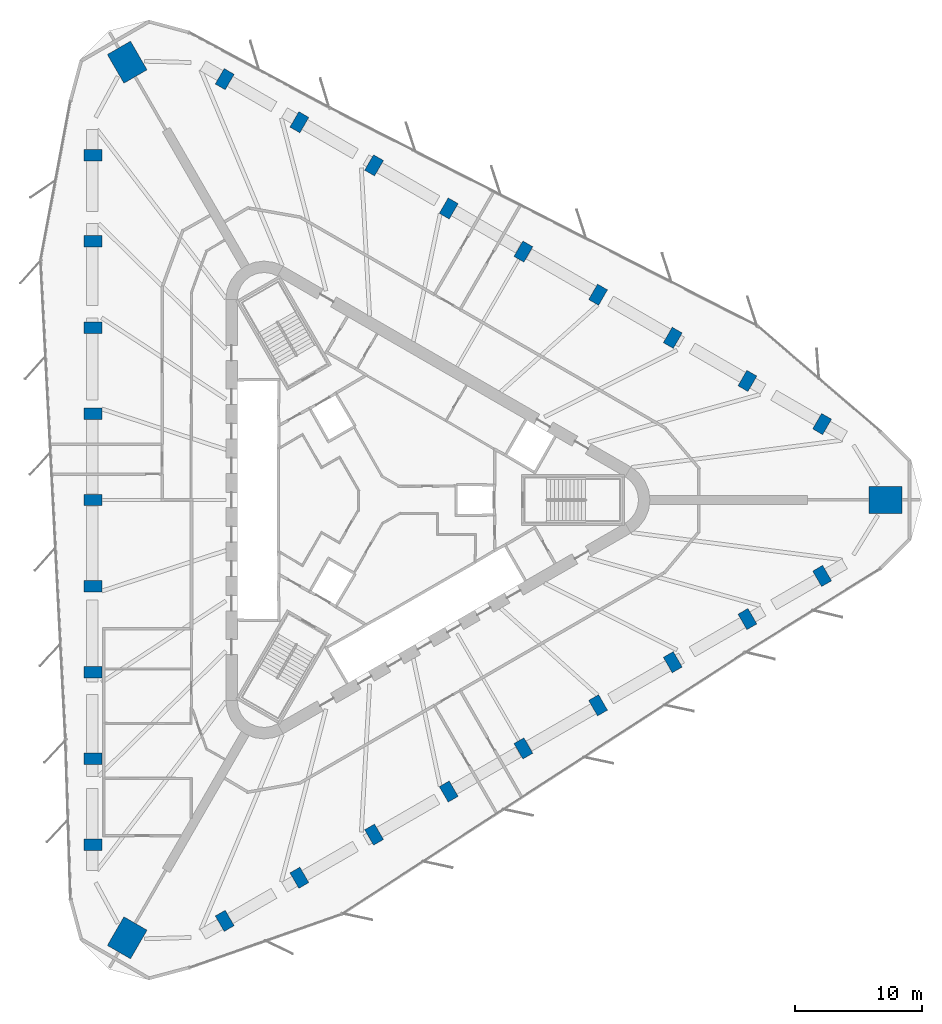
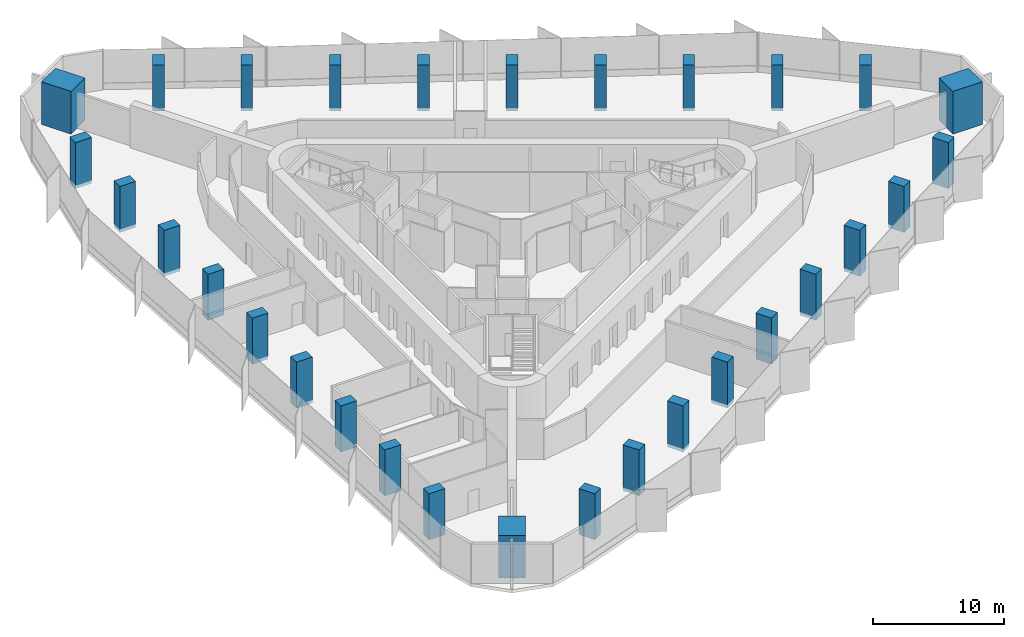
# One storey, part 1 of 13: 30 columns.
"""IFC4 building model written with IfcOpenShell, lengths in metres."""

from ifc_helpers import new_model, si_unit, direction, frame, origin, origin_2d, place, context, subcontext, project, spatial, rectangle, extrude, material, material_profile, profile_set, type_object, element, save


model = new_model("IFC4")

# Units and contexts
model_context = context("Model", 3, precision=1e-05, world=origin(), true_north=direction((0.0, 1.0)))
body_context = subcontext(model_context, "Body", "Model", "MODEL_VIEW")
ifc_project = project(units=[si_unit("LENGTHUNIT", "METRE"), si_unit("AREAUNIT", "SQUARE_METRE"), si_unit("VOLUMEUNIT", "CUBIC_METRE"), si_unit("PLANEANGLEUNIT", "RADIAN"), si_unit("MASSUNIT", "GRAM", prefix="KILO")], contexts=[model_context])

# Site, building, storey
site_placement = place(None, origin())
site = spatial("IfcSite", under=ifc_project, at=site_placement, CompositionType="ELEMENT")
building_placement = place(site_placement, origin())
building = spatial("IfcBuilding", under=site, at=building_placement, Name="Tanit Gate Tower", CompositionType="ELEMENT")
storey_placement = place(building_placement, frame((0.0, 0.0, 169.199951171875)))
storey = spatial("IfcBuildingStorey", under=building, at=storey_placement, Name="L36", CompositionType="ELEMENT", Elevation=169.199951171875)

# Columns
ifc_material_1 = material(Name="Concrete C60/75", Category="concrete")
ifc_material_profile_1 = material_profile(ifc_material_1, rectangle(XDim=2.60009765625, YDim=2.10009765625, at=origin_2d()), Name="RC 2600x2100")
ifc_profile_set_1 = profile_set([ifc_material_profile_1], Name="Concrete C60/75")
column_type_1 = type_object("IfcColumnType", Name="MEGA COLUMN 2600x2100 C60/75", PredefinedType="COLUMN", material=ifc_profile_set_1)
for number, where, z_axis, x_axis, name in (
    (1, (39.697998046875, 0.0, 0.0), (0.0, 0.0, 1.0), (1.0, 0.0, 0.0), "MEGA COLUMN"),
    (2, (-19.84912109375, 34.37939453125, 0.0), (0.0, 0.0, 1.0), (-0.5, 0.866025403784, 0.0), "MEGA COLUMN"),
    (3, (-19.84912109375, -34.37939453125, 0.0), (0.0, 0.0, 1.0), (-0.5, -0.866025403784, 0.0), "MEGA COLUMN"),
):
    element("IfcColumn", number, at=place(storey_placement, frame(where, z_axis=z_axis, x_axis=x_axis)), inside=storey, type_object=column_type_1, Name=name, PredefinedType="COLUMN", context=body_context, shape_type="SweptSolid", body=[
        extrude(rectangle(XDim=2.60009765625, YDim=2.10009765625, at=origin_2d()), origin(), (0.0, 0.0, 1.0), 4.0),
    ])
ifc_material_2 = material(Name="Concrete C50/60", Category="concrete")
ifc_material_profile_2 = material_profile(ifc_material_2, rectangle(XDim=1.39990234375, YDim=0.89990234375, at=origin_2d()), Name="RC 1400x900")
ifc_profile_set_2 = profile_set([ifc_material_profile_2], Name="Concrete C50/60")
column_type_2 = type_object("IfcColumnType", Name="PERIMETER COLUMN 1400x900 C50/60", PredefinedType="COLUMN", material=ifc_profile_set_2)
for number, where, z_axis, x_axis, name in (
    (4, (-22.523681640625, 27.083984375, -0.300048828125), (0.0, 0.0, 1.0), (-1.0, 0.0, 0.0), "PERIMETER COLUMN"),
    (5, (-22.523681640625, 20.31298828125, -0.300048828125), (0.0, 0.0, 1.0), (-1.0, 0.0, 0.0), "PERIMETER COLUMN"),
    (6, (-22.523681640625, 13.5419921875, -0.300048828125), (0.0, 0.0, 1.0), (-1.0, 0.0, 0.0), "PERIMETER COLUMN"),
    (7, (-22.523681640625, 6.77099609375, -0.300048828125), (0.0, 0.0, 1.0), (-1.0, 0.0, 0.0), "PERIMETER COLUMN"),
    (8, (-22.523681640625, 0.0, -0.300048828125), (0.0, 0.0, 1.0), (-1.0, 0.0, 0.0), "PERIMETER COLUMN"),
    (9, (-22.523681640625, -6.77099609375, -0.300048828125), (0.0, 0.0, 1.0), (-1.0, 0.0, 0.0), "PERIMETER COLUMN"),
    (10, (-22.523681640625, -13.5419921875, -0.300048828125), (0.0, 0.0, 1.0), (-1.0, 0.0, 0.0), "PERIMETER COLUMN"),
    (11, (-22.523681640625, -20.31298828125, -0.300048828125), (0.0, 0.0, 1.0), (-1.0, 0.0, 0.0), "PERIMETER COLUMN"),
    (12, (-22.523681640625, -27.083984375, -0.300048828125), (0.0, 0.0, 1.0), (-1.0, 0.0, 0.0), "PERIMETER COLUMN"),
    (13, (34.71728515625, 5.964111328125, -0.300048828125), (0.0, 0.0, 1.0), (0.5, 0.866025403784, 0.0), "PERIMETER COLUMN"),
    (14, (28.853271484375, 9.349609375, -0.300048828125), (0.0, 0.0, 1.0), (0.5, 0.866025403784, 0.0), "PERIMETER COLUMN"),
    (15, (22.989501953125, 12.735107421875, -0.300048828125), (0.0, 0.0, 1.0), (0.5, 0.866025403784, 0.0), "PERIMETER COLUMN"),
    (16, (17.12548828125, 16.12060546875, -0.300048828125), (0.0, 0.0, 1.0), (0.5, 0.866025403784, 0.0), "PERIMETER COLUMN"),
    (17, (11.26171875, 19.506103515625, -0.300048828125), (0.0, 0.0, 1.0), (0.5, 0.866025403784, 0.0), "PERIMETER COLUMN"),
    (18, (5.39794921875, 22.8916015625, -0.300048828125), (0.0, 0.0, 1.0), (0.5, 0.866025403784, 0.0), "PERIMETER COLUMN"),
    (19, (-0.4658203125, 26.277099609375, -0.300048828125), (0.0, 0.0, 1.0), (0.5, 0.866025403784, 0.0), "PERIMETER COLUMN"),
    (20, (-6.32958984375, 29.66259765625, -0.300048828125), (0.0, 0.0, 1.0), (0.5, 0.866025403784, 0.0), "PERIMETER COLUMN"),
    (21, (-12.193603515625, 33.0478515625, -0.300048828125), (0.0, 0.0, 1.0), (0.5, 0.866025403784, 0.0), "PERIMETER COLUMN"),
    (22, (-12.193603515625, -33.0478515625, -0.300048828125), (0.0, 0.0, 1.0), (0.5, -0.866025403784, 0.0), "PERIMETER COLUMN"),
    (23, (-6.32958984375, -29.66259765625, -0.300048828125), (0.0, 0.0, 1.0), (0.5, -0.866025403784, 0.0), "PERIMETER COLUMN"),
    (24, (-0.4658203125, -26.277099609375, -0.300048828125), (0.0, 0.0, 1.0), (0.5, -0.866025403784, 0.0), "PERIMETER COLUMN"),
    (25, (5.39794921875, -22.8916015625, -0.300048828125), (0.0, 0.0, 1.0), (0.5, -0.866025403784, 0.0), "PERIMETER COLUMN"),
    (26, (11.26171875, -19.506103515625, -0.300048828125), (0.0, 0.0, 1.0), (0.5, -0.866025403784, 0.0), "PERIMETER COLUMN"),
    (27, (17.12548828125, -16.12060546875, -0.300048828125), (0.0, 0.0, 1.0), (0.5, -0.866025403784, 0.0), "PERIMETER COLUMN"),
    (28, (22.989501953125, -12.735107421875, -0.300048828125), (0.0, 0.0, 1.0), (0.5, -0.866025403784, 0.0), "PERIMETER COLUMN"),
    (29, (28.853271484375, -9.349609375, -0.300048828125), (0.0, 0.0, 1.0), (0.5, -0.866025403784, 0.0), "PERIMETER COLUMN"),
    (30, (34.71728515625, -5.964111328125, -0.300048828125), (0.0, 0.0, 1.0), (0.5, -0.866025403784, 0.0), "PERIMETER COLUMN"),
):
    element("IfcColumn", number, at=place(storey_placement, frame(where, z_axis=z_axis, x_axis=x_axis)), inside=storey, type_object=column_type_2, Name=name, PredefinedType="COLUMN", context=body_context, shape_type="SweptSolid", body=[
        extrude(rectangle(XDim=1.39990234375, YDim=0.89990234375, at=origin_2d()), origin(), (0.0, 0.0, 1.0), 4.300048828125),
    ])

save(model, "model.ifc")
